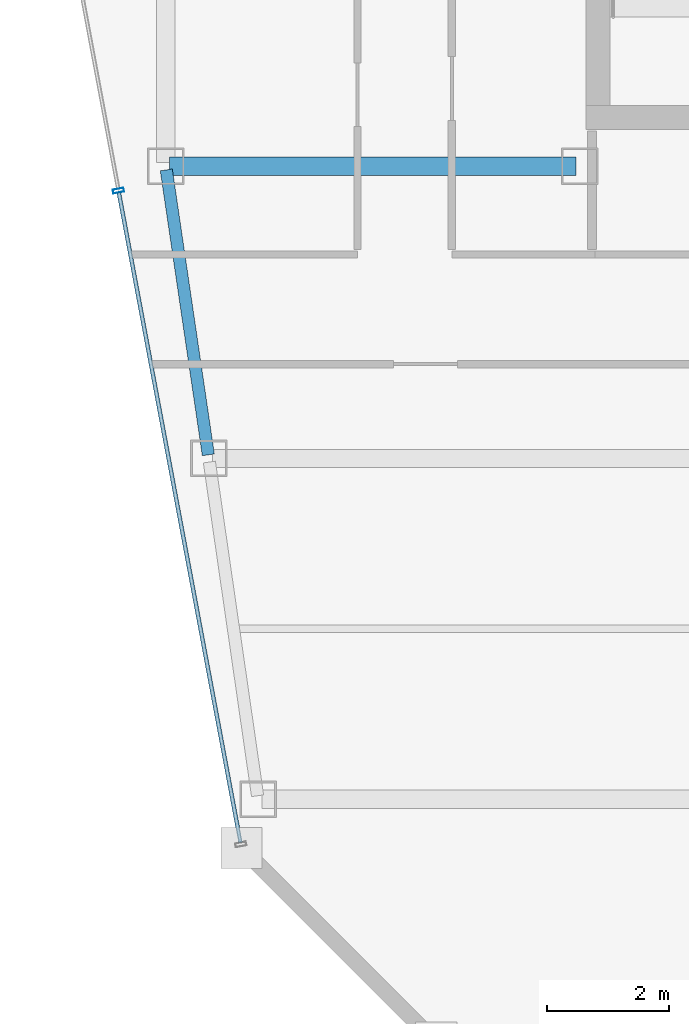
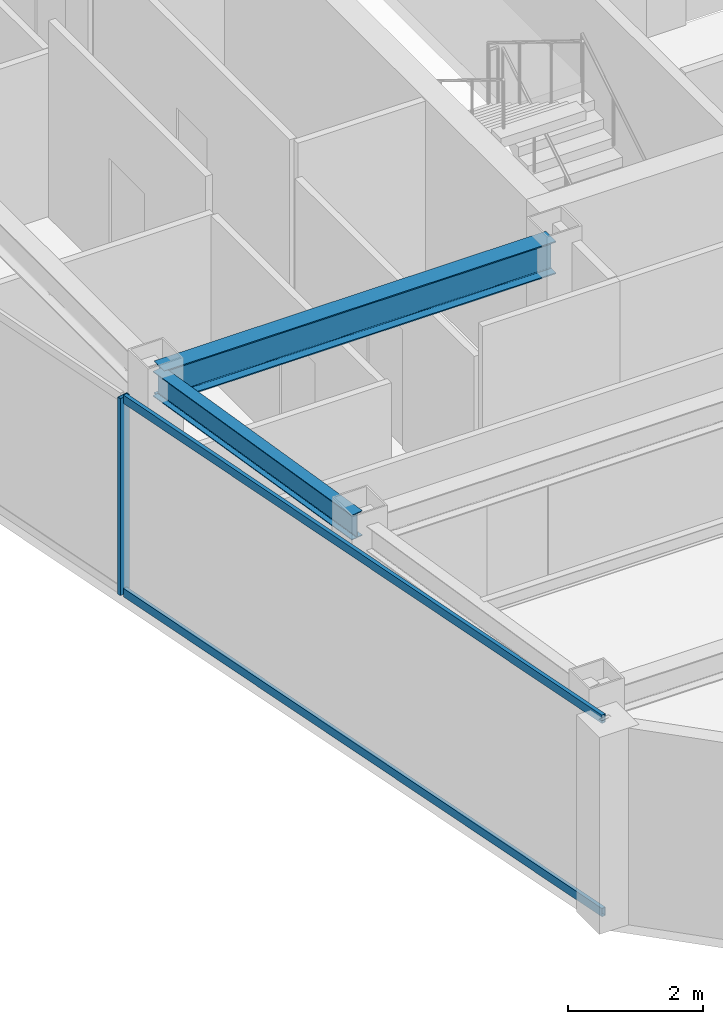
# One storey, part 4 of 23: 3 members, 2 beams, 1 element without a shape of its own.
"""IFC4 building model written with IfcOpenShell, lengths in metres."""

from ifc_helpers import new_model, si_unit, direction, frame, origin, origin_2d, place, context, subcontext, project, spatial, hollow_rectangle, i_section, extrude, material, material_profile, profile_set, type_object, element, aggregate, save


model = new_model("IFC4")

# Units and contexts
model_context = context("Model", 3, precision=1e-05, world=origin(), true_north=direction((0.0, 1.0)))
body_context = subcontext(model_context, "Body", "Model", "MODEL_VIEW")
ifc_project = project(units=[si_unit("LENGTHUNIT", "METRE"), si_unit("AREAUNIT", "SQUARE_METRE"), si_unit("VOLUMEUNIT", "CUBIC_METRE"), si_unit("PLANEANGLEUNIT", "RADIAN"), si_unit("MASSUNIT", "GRAM", prefix="KILO")], contexts=[model_context])

# Site, building, storey
site_placement = place(None, origin())
site = spatial("IfcSite", under=ifc_project, at=site_placement, CompositionType="ELEMENT")
building_placement = place(site_placement, origin())
building = spatial("IfcBuilding", under=site, at=building_placement, Name="Saevonmaru Cultural Tower", CompositionType="ELEMENT")
storey_placement = place(building_placement, frame((0.0, 0.0, 280.0)))
storey = spatial("IfcBuildingStorey", under=building, at=storey_placement, Name="L66", CompositionType="ELEMENT", Elevation=280.0)

# Beams
ifc_material_1 = material(Name="Steel SM355", Category="steel")
ifc_material_profile_1 = material_profile(ifc_material_1, i_section(OverallWidth=0.300048828125, OverallDepth=0.587890625, WebThickness=0.011962890625, FlangeThickness=0.02001953125, FilletRadius=0.02392578125, at=origin_2d()), Name="H-588x300x12x20")
ifc_profile_set_1 = profile_set([ifc_material_profile_1], Name="Steel SM355")
beam_type_1 = type_object("IfcBeamType", Name="BM-G-H588", PredefinedType="BEAM", material=ifc_profile_set_1)
beam_1_placement = place(storey_placement, frame((6.860107421875, 42.39990234375, 3.256103515625), z_axis=(1.0, 0.0, 0.0), x_axis=(0.0, 1.0, 0.0)))
element("IfcBeam", 1, at=beam_1_placement, inside=storey, type_object=beam_type_1, Name="L66 Core South Girder 1", PredefinedType="BEAM", context=body_context, shape_type="SweptSolid", body=[
    extrude(i_section(OverallWidth=0.300048828125, OverallDepth=0.587890625, WebThickness=0.011962890625, FlangeThickness=0.02001953125, FilletRadius=0.02392578125, at=origin_2d()), origin(), (0.0, 0.0, 1.0), 6.679931640625),
])
ifc_material_profile_2 = material_profile(ifc_material_1, i_section(OverallWidth=0.199951171875, OverallDepth=0.449951171875, WebThickness=0.009033203125, FlangeThickness=0.013916015625, FilletRadius=0.01806640625, at=origin_2d()), Name="H-450x200x9x14")
ifc_profile_set_2 = profile_set([ifc_material_profile_2], Name="Steel SM355")
beam_type_2 = type_object("IfcBeamType", Name="BM-SP-H450", PredefinedType="SPANDREL", material=ifc_profile_set_2)
beam_2_placement = place(storey_placement, frame((7.499267578125, 37.659423828125, 3.324951171875), z_axis=(-0.145912860028, 0.989297446312, 0.0), x_axis=(-0.989297446312, -0.145912860028, 0.0)))
element("IfcBeam", 2, at=beam_2_placement, inside=storey, type_object=beam_type_2, Name="L66 West Splayed Spandrel 2", PredefinedType="SPANDREL", context=body_context, shape_type="SweptSolid", body=[
    extrude(i_section(OverallWidth=0.199951171875, OverallDepth=0.449951171875, WebThickness=0.009033203125, FlangeThickness=0.013916015625, FilletRadius=0.01806640625, at=origin_2d()), origin(), (0.0, 0.0, 1.0), 4.731689453125),
])

# Curtain wall, members
ifc_material_2 = material(Name="Satin Bronze Anodised Aluminium", Category="aluminium")
curtain_wall_type = type_object("IfcCurtainWallType", Name="CW-TYP-B", PredefinedType="NOTDEFINED", material=ifc_material_2)
curtain_wall_placement = place(storey_placement, origin())
curtain_wall = element("IfcCurtainWall", 3, at=curtain_wall_placement, inside=storey, type_object=curtain_wall_type, Name="L66 Unitised Curtain Wall E12", PredefinedType="NOTDEFINED")
ifc_material_profile_3 = material_profile(ifc_material_2, hollow_rectangle(XDim=0.06494140625, YDim=0.179931640625, WallThickness=0.00390625, at=origin_2d()), Name="ALU-MULL-180x65x4")
ifc_profile_set_3 = profile_set([ifc_material_profile_3], Name="Satin Bronze Anodised Aluminium")
member_type_1 = type_object("IfcMemberType", Name="ML-CW-180x65", PredefinedType="MULLION", material=ifc_profile_set_3)
member_1_placement = place(storey_placement, frame((6.022216796875, 42.0, 0.0), z_axis=(0.0, 0.0, 1.0), x_axis=(0.184046528232, -0.982917532373, 0.0)))
member_1 = element("IfcMember", 4, at=member_1_placement, type_object=member_type_1, Name="CW-TW-L66-E12 mullion 2", PredefinedType="MULLION", context=body_context, shape_type="SweptSolid", body=[
    extrude(hollow_rectangle(XDim=0.06494140625, YDim=0.179931640625, WallThickness=0.00390625, at=origin_2d()), origin(), (0.0, 0.0, 1.0), 3.550048828125),
])
ifc_material_profile_4 = material_profile(ifc_material_2, hollow_rectangle(XDim=0.06494140625, YDim=0.14990234375, WallThickness=0.00390625, at=origin_2d()), Name="ALU-TRAN-150x65x4")
ifc_profile_set_4 = profile_set([ifc_material_profile_4], Name="Satin Bronze Anodised Aluminium")
member_type_2 = type_object("IfcMemberType", Name="TR-CW-150x65", PredefinedType="USERDEFINED", material=ifc_profile_set_4)
member_2_placement = place(storey_placement, frame((6.028076171875, 41.968017578125, 0.032470703125), z_axis=(0.184051053742, -0.982916684982, 0.0), x_axis=(0.982916684982, 0.184051053742, 0.0)))
member_2 = element("IfcMember", 5, at=member_2_placement, type_object=member_type_2, Name="CW-TW-L66-E12 transom 2.1", ObjectType="TRANSOM", PredefinedType="USERDEFINED", context=body_context, shape_type="SweptSolid", body=[
    extrude(hollow_rectangle(XDim=0.06494140625, YDim=0.14990234375, WallThickness=0.00390625, at=origin_2d()), origin(), (0.0, 0.0, 1.0), 10.862548828125),
])
member_3_placement = place(storey_placement, frame((6.028076171875, 41.968017578125, 3.517578125), z_axis=(0.184051053742, -0.982916684982, 0.0), x_axis=(0.982916684982, 0.184051053742, 0.0)))
member_3 = element("IfcMember", 6, at=member_3_placement, type_object=member_type_2, Name="CW-TW-L66-E12 transom 2.2", ObjectType="TRANSOM", PredefinedType="USERDEFINED", context=body_context, shape_type="SweptSolid", body=[
    extrude(hollow_rectangle(XDim=0.06494140625, YDim=0.14990234375, WallThickness=0.00390625, at=origin_2d()), origin(), (0.0, 0.0, 1.0), 10.862548828125),
])
aggregate(curtain_wall, [member_1, member_2, member_3])

save(model, "model.ifc")
